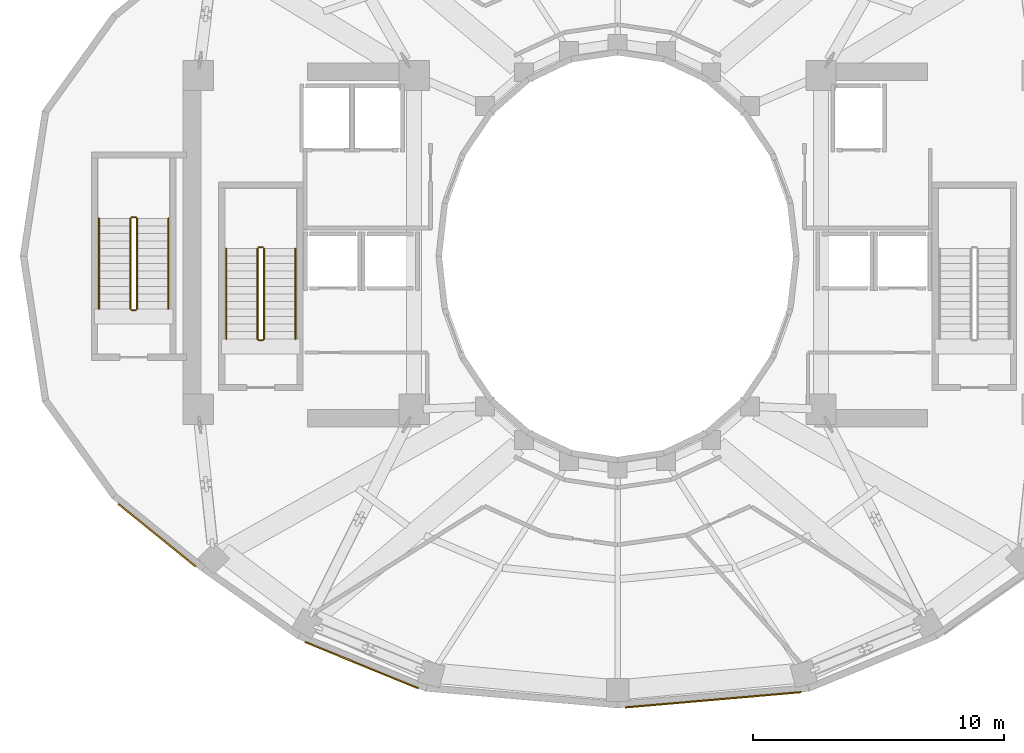
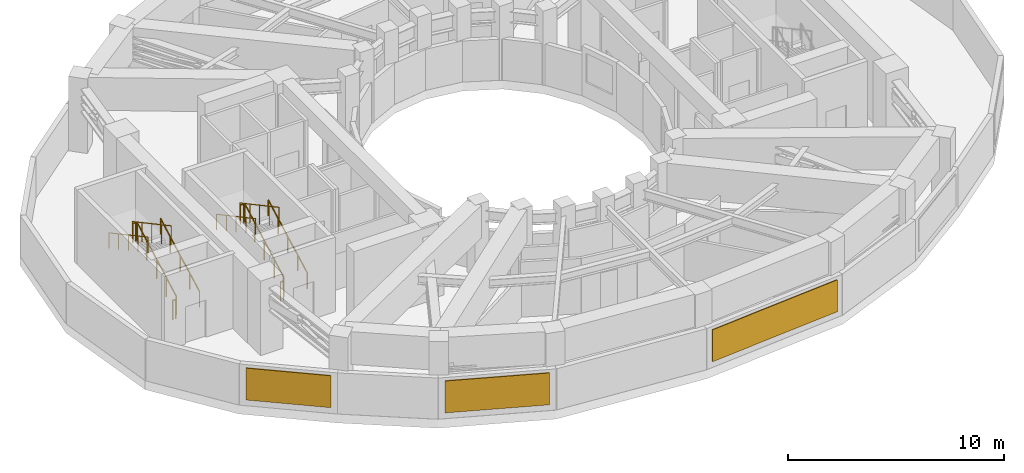
# One storey, part 7 of 10: 12 railings, 3 shading devices.
"""IFC4 building model written with IfcOpenShell, lengths in metres."""

from ifc_helpers import new_model, si_unit, direction, frame, origin, origin_2d, place, context, subcontext, project, spatial, rectangle, circle, extrude, material, layer, layer_set, type_object, element, save


model = new_model("IFC4")

# Units and contexts
model_context = context("Model", 3, precision=1e-05, world=origin(), true_north=direction((0.0, 1.0)))
body_context = subcontext(model_context, "Body", "Model", "MODEL_VIEW")
ifc_project = project(units=[si_unit("LENGTHUNIT", "METRE"), si_unit("AREAUNIT", "SQUARE_METRE"), si_unit("VOLUMEUNIT", "CUBIC_METRE"), si_unit("PLANEANGLEUNIT", "RADIAN"), si_unit("MASSUNIT", "GRAM", prefix="KILO")], contexts=[model_context])

# Site, building, storey
site_placement = place(None, origin())
site = spatial("IfcSite", under=ifc_project, at=site_placement, CompositionType="ELEMENT")
building_placement = place(site_placement, origin())
building = spatial("IfcBuilding", under=site, at=building_placement, Name="Solvane Sanctuary Tower", CompositionType="ELEMENT")
storey_placement = place(building_placement, frame((0.0, 0.0, 129.0)))
storey = spatial("IfcBuildingStorey", under=building, at=storey_placement, Name="L39", CompositionType="ELEMENT", Elevation=129.0)

# Railings
ifc_material_1 = material(Name="Architectural Stainless Steel 316", Category="steel")
railing_type_1 = type_object("IfcRailingType", Name="Railing GR-BALC-1150", PredefinedType="BALUSTRADE", material=ifc_material_1)
railing_1_placement = place(storey_placement, frame((17.919921875, 19.699951171875, 0.16162109375)))
element("IfcRailing", 1, at=railing_1_placement, inside=storey, type_object=railing_type_1, Name="L39 ST-1 stair guard 1", PredefinedType="BALUSTRADE", context=body_context, shape_type="SweptSolid", body=[
    extrude(circle(Radius=0.02392578125, at=origin_2d()), frame((0.0, 0.0, 1.076171875), z_axis=(0.0, 0.880474934443, 0.474092701714), x_axis=(-1.0, 0.0, 0.0)), (0.0, 0.0, 1.0), 4.0888671875),
    extrude(circle(Radius=0.02099609375, at=origin_2d()), origin(), (0.0, 0.0, 1.0), 1.052001953125),
    extrude(circle(Radius=0.02099609375, at=origin_2d()), frame((0.0, 0.89990234375, 0.484619140625)), (0.0, 0.0, 1.0), 1.052001953125),
    extrude(circle(Radius=0.02099609375, at=origin_2d()), frame((0.0, 1.800048828125, 0.96923828125)), (0.0, 0.0, 1.0), 1.052001953125),
    extrude(circle(Radius=0.02099609375, at=origin_2d()), frame((0.0, 2.7001953125, 1.453857421875)), (0.0, 0.0, 1.0), 1.052001953125),
    extrude(circle(Radius=0.02099609375, at=origin_2d()), frame((0.0, 3.60009765625, 1.9384765625)), (0.0, 0.0, 1.0), 1.052001953125),
])
railing_2_placement = place(storey_placement, frame((17.8701171875, 23.35009765625, 2.10009765625)))
element("IfcRailing", 2, at=railing_2_placement, inside=storey, type_object=railing_type_1, Name="L39 ST-1 stair guard 2", PredefinedType="BALUSTRADE", context=body_context, shape_type="SweptSolid", body=[
    extrude(circle(Radius=0.02392578125, at=origin_2d()), frame((0.0, 0.0, 1.076171875), z_axis=(-1.0, 0.0, 0.0), x_axis=(0.0, -1.0, 0.0)), (0.0, 0.0, 1.0), 0.16015625),
    extrude(circle(Radius=0.02099609375, at=origin_2d()), origin(), (0.0, 0.0, 1.0), 1.052001953125),
    extrude(circle(Radius=0.02099609375, at=origin_2d()), frame((-0.16015625, 0.0, 0.0)), (0.0, 0.0, 1.0), 1.052001953125),
])
railing_3_placement = place(storey_placement, frame((17.659912109375, 23.300048828125, 2.261474609375)))
element("IfcRailing", 3, at=railing_3_placement, inside=storey, type_object=railing_type_1, Name="L39 ST-1 stair guard 3", PredefinedType="BALUSTRADE", context=body_context, shape_type="SweptSolid", body=[
    extrude(circle(Radius=0.02392578125, at=origin_2d()), frame((0.0, 0.0, 1.076171875), z_axis=(0.0, -0.880474934443, 0.474092701714), x_axis=(1.0, 0.0, 0.0)), (0.0, 0.0, 1.0), 4.0888671875),
    extrude(circle(Radius=0.02099609375, at=origin_2d()), origin(), (0.0, 0.0, 1.0), 1.052001953125),
    extrude(circle(Radius=0.02099609375, at=origin_2d()), frame((0.0, -0.89990234375, 0.484619140625)), (0.0, 0.0, 1.0), 1.052001953125),
    extrude(circle(Radius=0.02099609375, at=origin_2d()), frame((0.0, -1.800048828125, 0.96923828125)), (0.0, 0.0, 1.0), 1.052001953125),
    extrude(circle(Radius=0.02099609375, at=origin_2d()), frame((0.0, -2.7001953125, 1.453857421875)), (0.0, 0.0, 1.0), 1.052001953125),
    extrude(circle(Radius=0.02099609375, at=origin_2d()), frame((0.0, -3.60009765625, 1.9384765625)), (0.0, 0.0, 1.0), 1.052001953125),
])
railing_4_placement = place(storey_placement, frame((17.8701171875, 19.64990234375, 0.0)))
element("IfcRailing", 4, at=railing_4_placement, inside=storey, type_object=railing_type_1, Name="L39 ST-1 stair guard 4", PredefinedType="BALUSTRADE", context=body_context, shape_type="SweptSolid", body=[
    extrude(circle(Radius=0.02392578125, at=origin_2d()), frame((0.0, 0.0, 1.076171875), z_axis=(-1.0, 0.0, 0.0), x_axis=(0.0, -1.0, 0.0)), (0.0, 0.0, 1.0), 0.16015625),
    extrude(circle(Radius=0.02099609375, at=origin_2d()), origin(), (0.0, 0.0, 1.0), 1.052001953125),
    extrude(circle(Radius=0.02099609375, at=origin_2d()), frame((-0.16015625, 0.0, 0.0)), (0.0, 0.0, 1.0), 1.052001953125),
])
railing_5_placement = place(storey_placement, frame((12.860107421875, 20.89990234375, 0.16162109375)))
element("IfcRailing", 5, at=railing_5_placement, inside=storey, type_object=railing_type_1, Name="L39 ST-3 stair guard 1", PredefinedType="BALUSTRADE", context=body_context, shape_type="SweptSolid", body=[
    extrude(circle(Radius=0.02392578125, at=origin_2d()), frame((0.0, 0.0, 1.076171875), z_axis=(0.0, 0.880474934443, 0.474092701714), x_axis=(-1.0, 0.0, 0.0)), (0.0, 0.0, 1.0), 4.0888671875),
    extrude(circle(Radius=0.02099609375, at=origin_2d()), origin(), (0.0, 0.0, 1.0), 1.052001953125),
    extrude(circle(Radius=0.02099609375, at=origin_2d()), frame((0.0, 0.89990234375, 0.484619140625)), (0.0, 0.0, 1.0), 1.052001953125),
    extrude(circle(Radius=0.02099609375, at=origin_2d()), frame((0.0, 1.800048828125, 0.96923828125)), (0.0, 0.0, 1.0), 1.052001953125),
    extrude(circle(Radius=0.02099609375, at=origin_2d()), frame((0.0, 2.7001953125, 1.453857421875)), (0.0, 0.0, 1.0), 1.052001953125),
    extrude(circle(Radius=0.02099609375, at=origin_2d()), frame((0.0, 3.60009765625, 1.9384765625)), (0.0, 0.0, 1.0), 1.052001953125),
])
railing_6_placement = place(storey_placement, frame((12.81005859375, 24.550048828125, 2.10009765625)))
element("IfcRailing", 6, at=railing_6_placement, inside=storey, type_object=railing_type_1, Name="L39 ST-3 stair guard 2", PredefinedType="BALUSTRADE", context=body_context, shape_type="SweptSolid", body=[
    extrude(circle(Radius=0.02392578125, at=origin_2d()), frame((0.0, 0.0, 1.076171875), z_axis=(-1.0, 0.0, 0.0), x_axis=(0.0, -1.0, 0.0)), (0.0, 0.0, 1.0), 0.16015625),
    extrude(circle(Radius=0.02099609375, at=origin_2d()), origin(), (0.0, 0.0, 1.0), 1.052001953125),
    extrude(circle(Radius=0.02099609375, at=origin_2d()), frame((-0.16015625, 0.0, 0.0)), (0.0, 0.0, 1.0), 1.052001953125),
])
railing_7_placement = place(storey_placement, frame((12.60009765625, 24.5, 2.261474609375)))
element("IfcRailing", 7, at=railing_7_placement, inside=storey, type_object=railing_type_1, Name="L39 ST-3 stair guard 3", PredefinedType="BALUSTRADE", context=body_context, shape_type="SweptSolid", body=[
    extrude(circle(Radius=0.02392578125, at=origin_2d()), frame((0.0, 0.0, 1.076171875), z_axis=(0.0, -0.880474934443, 0.474092701714), x_axis=(1.0, 0.0, 0.0)), (0.0, 0.0, 1.0), 4.0888671875),
    extrude(circle(Radius=0.02099609375, at=origin_2d()), origin(), (0.0, 0.0, 1.0), 1.052001953125),
    extrude(circle(Radius=0.02099609375, at=origin_2d()), frame((0.0, -0.89990234375, 0.484619140625)), (0.0, 0.0, 1.0), 1.052001953125),
    extrude(circle(Radius=0.02099609375, at=origin_2d()), frame((0.0, -1.800048828125, 0.96923828125)), (0.0, 0.0, 1.0), 1.052001953125),
    extrude(circle(Radius=0.02099609375, at=origin_2d()), frame((0.0, -2.7001953125, 1.453857421875)), (0.0, 0.0, 1.0), 1.052001953125),
    extrude(circle(Radius=0.02099609375, at=origin_2d()), frame((0.0, -3.60009765625, 1.9384765625)), (0.0, 0.0, 1.0), 1.052001953125),
])
railing_8_placement = place(storey_placement, frame((12.81005859375, 20.85009765625, 0.0)))
element("IfcRailing", 8, at=railing_8_placement, inside=storey, type_object=railing_type_1, Name="L39 ST-3 stair guard 4", PredefinedType="BALUSTRADE", context=body_context, shape_type="SweptSolid", body=[
    extrude(circle(Radius=0.02392578125, at=origin_2d()), frame((0.0, 0.0, 1.076171875), z_axis=(-1.0, 0.0, 0.0), x_axis=(0.0, -1.0, 0.0)), (0.0, 0.0, 1.0), 0.16015625),
    extrude(circle(Radius=0.02099609375, at=origin_2d()), origin(), (0.0, 0.0, 1.0), 1.052001953125),
    extrude(circle(Radius=0.02099609375, at=origin_2d()), frame((-0.16015625, 0.0, 0.0)), (0.0, 0.0, 1.0), 1.052001953125),
])
railing_type_2 = type_object("IfcRailingType", Name="Railing HR-STAIR-920", PredefinedType="HANDRAIL", material=ifc_material_1)
railing_9_placement = place(storey_placement, frame((19.169921875, 19.699951171875, 0.16162109375)))
element("IfcRailing", 9, at=railing_9_placement, inside=storey, type_object=railing_type_2, Name="L39 ST-1 stair handrail 1", PredefinedType="HANDRAIL", context=body_context, shape_type="SweptSolid", body=[
    extrude(circle(Radius=0.02392578125, at=origin_2d()), frame((0.0, 0.0, 0.8759765625), z_axis=(0.0, 0.880474934443, 0.474092701714), x_axis=(-1.0, 0.0, 0.0)), (0.0, 0.0, 1.0), 4.0888671875),
    extrude(circle(Radius=0.02099609375, at=origin_2d()), origin(), (0.0, 0.0, 1.0), 0.851806640625),
    extrude(circle(Radius=0.02099609375, at=origin_2d()), frame((0.0, 0.89990234375, 0.484619140625)), (0.0, 0.0, 1.0), 0.851806640625),
    extrude(circle(Radius=0.02099609375, at=origin_2d()), frame((0.0, 1.800048828125, 0.96923828125)), (0.0, 0.0, 1.0), 0.851806640625),
    extrude(circle(Radius=0.02099609375, at=origin_2d()), frame((0.0, 2.7001953125, 1.453857421875)), (0.0, 0.0, 1.0), 0.851806640625),
    extrude(circle(Radius=0.02099609375, at=origin_2d()), frame((0.0, 3.60009765625, 1.9384765625)), (0.0, 0.0, 1.0), 0.851806640625),
])
railing_10_placement = place(storey_placement, frame((16.409912109375, 23.300048828125, 2.261474609375)))
element("IfcRailing", 10, at=railing_10_placement, inside=storey, type_object=railing_type_2, Name="L39 ST-1 stair handrail 2", PredefinedType="HANDRAIL", context=body_context, shape_type="SweptSolid", body=[
    extrude(circle(Radius=0.02392578125, at=origin_2d()), frame((0.0, 0.0, 0.8759765625), z_axis=(0.0, -0.880474934443, 0.474092701714), x_axis=(1.0, 0.0, 0.0)), (0.0, 0.0, 1.0), 4.0888671875),
    extrude(circle(Radius=0.02099609375, at=origin_2d()), origin(), (0.0, 0.0, 1.0), 0.851806640625),
    extrude(circle(Radius=0.02099609375, at=origin_2d()), frame((0.0, -0.89990234375, 0.484619140625)), (0.0, 0.0, 1.0), 0.851806640625),
    extrude(circle(Radius=0.02099609375, at=origin_2d()), frame((0.0, -1.800048828125, 0.96923828125)), (0.0, 0.0, 1.0), 0.851806640625),
    extrude(circle(Radius=0.02099609375, at=origin_2d()), frame((0.0, -2.7001953125, 1.453857421875)), (0.0, 0.0, 1.0), 0.851806640625),
    extrude(circle(Radius=0.02099609375, at=origin_2d()), frame((0.0, -3.60009765625, 1.9384765625)), (0.0, 0.0, 1.0), 0.851806640625),
])
railing_11_placement = place(storey_placement, frame((14.110107421875, 20.89990234375, 0.16162109375)))
element("IfcRailing", 11, at=railing_11_placement, inside=storey, type_object=railing_type_2, Name="L39 ST-3 stair handrail 1", PredefinedType="HANDRAIL", context=body_context, shape_type="SweptSolid", body=[
    extrude(circle(Radius=0.02392578125, at=origin_2d()), frame((0.0, 0.0, 0.8759765625), z_axis=(0.0, 0.880474934443, 0.474092701714), x_axis=(-1.0, 0.0, 0.0)), (0.0, 0.0, 1.0), 4.0888671875),
    extrude(circle(Radius=0.02099609375, at=origin_2d()), origin(), (0.0, 0.0, 1.0), 0.851806640625),
    extrude(circle(Radius=0.02099609375, at=origin_2d()), frame((0.0, 0.89990234375, 0.484619140625)), (0.0, 0.0, 1.0), 0.851806640625),
    extrude(circle(Radius=0.02099609375, at=origin_2d()), frame((0.0, 1.800048828125, 0.96923828125)), (0.0, 0.0, 1.0), 0.851806640625),
    extrude(circle(Radius=0.02099609375, at=origin_2d()), frame((0.0, 2.7001953125, 1.453857421875)), (0.0, 0.0, 1.0), 0.851806640625),
    extrude(circle(Radius=0.02099609375, at=origin_2d()), frame((0.0, 3.60009765625, 1.9384765625)), (0.0, 0.0, 1.0), 0.851806640625),
])
railing_12_placement = place(storey_placement, frame((11.35009765625, 24.5, 2.261474609375)))
element("IfcRailing", 12, at=railing_12_placement, inside=storey, type_object=railing_type_2, Name="L39 ST-3 stair handrail 2", PredefinedType="HANDRAIL", context=body_context, shape_type="SweptSolid", body=[
    extrude(circle(Radius=0.02392578125, at=origin_2d()), frame((0.0, 0.0, 0.8759765625), z_axis=(0.0, -0.880474934443, 0.474092701714), x_axis=(1.0, 0.0, 0.0)), (0.0, 0.0, 1.0), 4.0888671875),
    extrude(circle(Radius=0.02099609375, at=origin_2d()), origin(), (0.0, 0.0, 1.0), 0.851806640625),
    extrude(circle(Radius=0.02099609375, at=origin_2d()), frame((0.0, -0.89990234375, 0.484619140625)), (0.0, 0.0, 1.0), 0.851806640625),
    extrude(circle(Radius=0.02099609375, at=origin_2d()), frame((0.0, -1.800048828125, 0.96923828125)), (0.0, 0.0, 1.0), 0.851806640625),
    extrude(circle(Radius=0.02099609375, at=origin_2d()), frame((0.0, -2.7001953125, 1.453857421875)), (0.0, 0.0, 1.0), 0.851806640625),
    extrude(circle(Radius=0.02099609375, at=origin_2d()), frame((0.0, -3.60009765625, 1.9384765625)), (0.0, 0.0, 1.0), 0.851806640625),
])

# Shading devices
ifc_material_2 = material(Name="Anodised Aluminium 6063-T6", Category="aluminium")
ifc_layer = layer(ifc_material_2, 0.06005859375, Name="Anodised Aluminium 6063-T6")
ifc_layer_set = layer_set([ifc_layer], Name="Anodised Aluminium 6063-T6")
shading_device_type = type_object("IfcShadingDeviceType", Name="Shading SHD-LOUVRE", PredefinedType="JALOUSIE", material=ifc_layer_set)
shading_device_1_placement = place(storey_placement, frame((13.6533203125, 11.885498046875, 0.35009765625), z_axis=(0.0, 0.0, 1.0), x_axis=(0.776970191752, -0.629537386602, 0.0)))
element("IfcShadingDevice", 13, at=shading_device_1_placement, inside=storey, type_object=shading_device_type, Name="L39 Plant Intake Louvre 14", PredefinedType="JALOUSIE", context=body_context, shape_type="SweptSolid", body=[
    extrude(rectangle(XDim=3.967529296875, YDim=0.06005859375, at=origin_2d()), origin(), (0.0, 0.0, 1.0), 1.800048828125),
])
shading_device_2_placement = place(storey_placement, frame((21.8076171875, 6.70947265625, 0.35009765625), z_axis=(0.0, 0.0, 1.0), x_axis=(0.925369245035, -0.379066960237, 0.0)))
element("IfcShadingDevice", 14, at=shading_device_2_placement, inside=storey, type_object=shading_device_type, Name="L39 Plant Intake Louvre 16", PredefinedType="JALOUSIE", context=body_context, shape_type="SweptSolid", body=[
    extrude(rectangle(XDim=4.88037109375, YDim=0.06005859375, at=origin_2d()), origin(), (0.0, 0.0, 1.0), 1.800048828125),
])
shading_device_3_placement = place(storey_placement, frame((35.81396484375, 5.330810546875, 0.35009765625), z_axis=(0.0, 0.0, 1.0), x_axis=(0.996249565055, 0.086526320429, 0.0)))
element("IfcShadingDevice", 15, at=shading_device_3_placement, inside=storey, type_object=shading_device_type, Name="L39 Plant Intake Louvre 18", PredefinedType="JALOUSIE", context=body_context, shape_type="SweptSolid", body=[
    extrude(rectangle(XDim=7.0322265625, YDim=0.06005859375, at=origin_2d()), origin(), (0.0, 0.0, 1.0), 1.800048828125),
])

save(model, "model.ifc")
